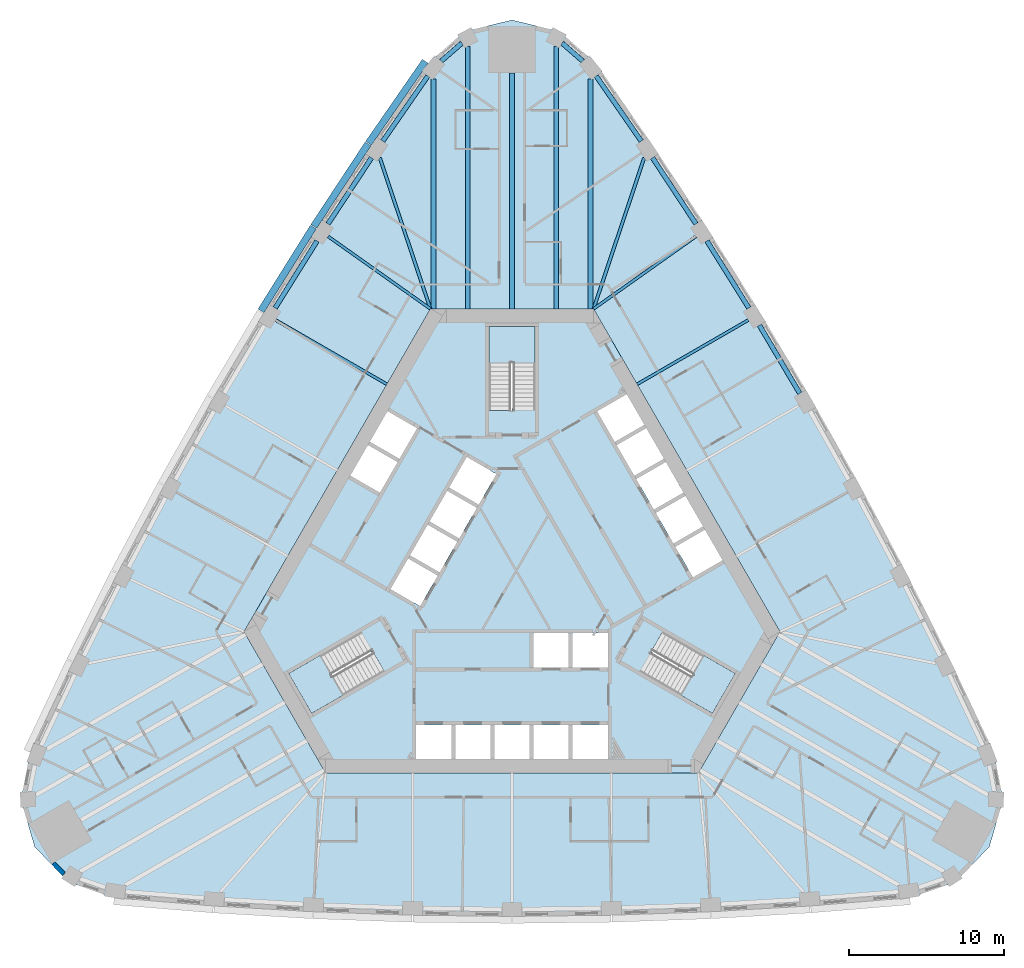
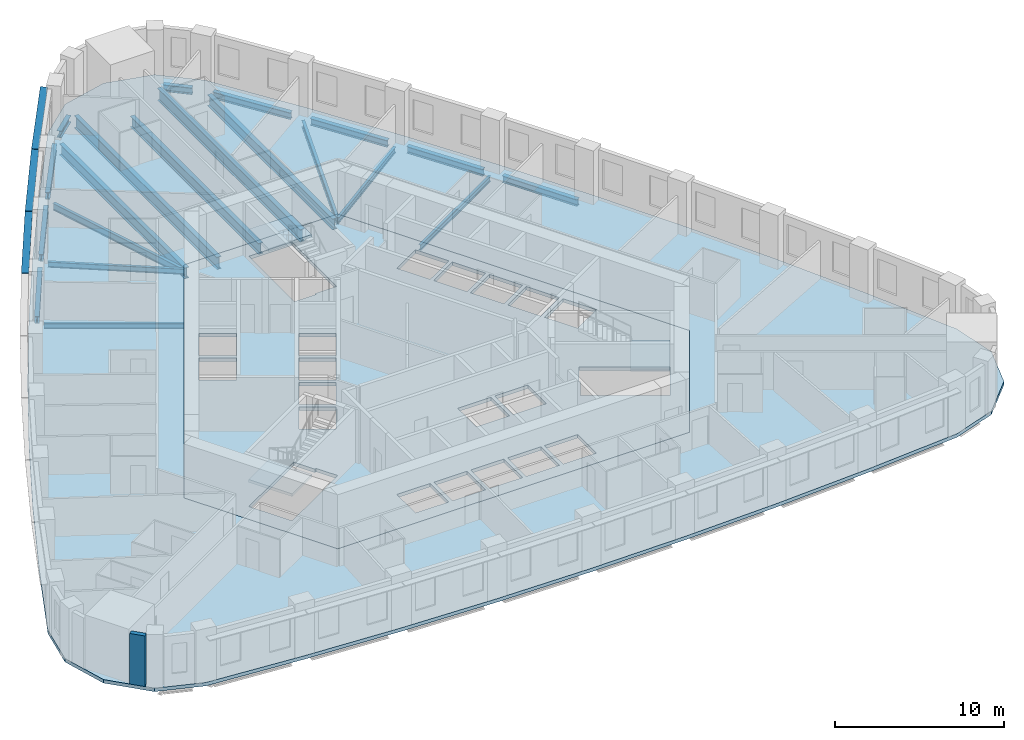
# One storey, part 2 of 12: 20 beams, 5 slabs, 3 members, 1 wall, 3 elements without a shape of their own.
"""IFC4 building model written with IfcOpenShell, lengths in metres."""

import ifcopenshell
import ifcopenshell.guid

model = None  # the IFC model being written
_history = None  # IfcOwnerHistory: only IFC2X3 demands one
_inside = {}  # id of a spatial element -> (the spatial element, [elements in it])
_under = {}  # id of a project, library or spatial element -> (it, [spatial elements below it])
_declared = {}  # id of a project -> (the project, [libraries it declares])
_typed = {}  # id of a type object -> (the type object, [elements of that type])
_made_of = {}  # id of a material, layer set ... -> (it, [elements and type objects made of it])


def new_model(schema):
    """Start an empty IFC model of exactly this schema.

    Asked for "IFC4X3", IfcOpenShell would pick the latest addendum, in which some entities
    have other attributes; the version numbers below select the first issue.
    IFC2X3 requires an IfcOwnerHistory on every rooted entity: one is made here for all.
    """
    global model, _history
    if schema == "IFC4X3":
        model = ifcopenshell.file(schema_version=(4, 3, 0, 0))
    else:
        model = ifcopenshell.file(schema=schema)
    _inside.clear()
    _under.clear()
    _declared.clear()
    _typed.clear()
    _made_of.clear()
    _history = None
    if model.schema == "IFC2X3":
        org = make("IfcOrganization", Name="unknown")
        user = make(
            "IfcPersonAndOrganization",
            ThePerson=make("IfcPerson", FamilyName="unknown"),
            TheOrganization=org,
        )
        app = make(
            "IfcApplication",
            ApplicationDeveloper=org,
            Version="unknown",
            ApplicationFullName="unknown",
            ApplicationIdentifier="unknown",
        )
        _history = make(
            "IfcOwnerHistory",
            OwningUser=user,
            OwningApplication=app,
            ChangeAction="ADDED",
            CreationDate=0,
        )
    return model


def make(cls, **values):
    """One entity of the class cls with the attributes given. An attribute that is None is left unset."""
    return model.create_entity(
        cls, **{name: value for name, value in values.items() if value is not None}
    )


def rooted(cls, **values):
    """An entity with a GlobalId (a new one), such as an element, a storey or a relation."""
    return make(cls, GlobalId=ifcopenshell.guid.new(), OwnerHistory=_history, **values)


def si_unit(unit_type, name, prefix=None):
    """IfcSIUnit, for example si_unit("LENGTHUNIT", "METRE", prefix="MILLI")."""
    return make("IfcSIUnit", UnitType=unit_type, Prefix=prefix, Name=name)


def assignment(units):
    """IfcUnitAssignment: the units of a project."""
    return None if units is None else make("IfcUnitAssignment", Units=units)


def point(xyz):
    """IfcCartesianPoint."""
    return None if xyz is None else make("IfcCartesianPoint", Coordinates=xyz)


def direction(xyz):
    """IfcDirection."""
    return None if xyz is None else make("IfcDirection", DirectionRatios=xyz)


def frame(location, z_axis=None, x_axis=None):
    """IfcAxis2Placement3D, a coordinate frame: its origin and axes. An axis left out is left unset."""
    return make(
        "IfcAxis2Placement3D",
        Location=point(location),
        Axis=direction(z_axis),
        RefDirection=direction(x_axis),
    )


def frame_2d(location, x_axis=None):
    """IfcAxis2Placement2D, a coordinate frame in the plane: its origin and x axis."""
    return make(
        "IfcAxis2Placement2D", Location=point(location), RefDirection=direction(x_axis)
    )


def origin():
    """The frame at (0, 0, 0) with its axes left unset."""
    return frame((0.0, 0.0, 0.0))


def origin_2d():
    """The frame at (0, 0) in the plane with its x axis left unset."""
    return frame_2d((0.0, 0.0))


def place(relative_to, where):
    """IfcLocalPlacement: puts the frame where relative to a parent placement (None: the world)."""
    return make(
        "IfcLocalPlacement", PlacementRelTo=relative_to, RelativePlacement=where
    )


def context(
    kind, dimensions, precision=None, world=None, true_north=None, identifier=None
):
    """IfcGeometricRepresentationContext, for example the 3D "Model" context."""
    return make(
        "IfcGeometricRepresentationContext",
        ContextIdentifier=identifier,
        ContextType=kind,
        CoordinateSpaceDimension=dimensions,
        Precision=precision,
        WorldCoordinateSystem=world,
        TrueNorth=true_north,
    )


def subcontext(parent, identifier, kind, view, scale=None):
    """IfcGeometricRepresentationSubContext, for example "Body" below "Model"."""
    return make(
        "IfcGeometricRepresentationSubContext",
        ContextIdentifier=identifier,
        ContextType=kind,
        ParentContext=parent,
        TargetScale=scale,
        TargetView=view,
    )


def project(units=None, contexts=None):
    """IfcProject with its units and contexts."""
    return rooted(
        "IfcProject",
        Name="project",
        RepresentationContexts=contexts,
        UnitsInContext=assignment(units),
    )


def spatial(cls, under=None, at=None, **own):
    """A site, building, storey or space (cls), placed at a placement, below another one or the project."""
    s = rooted(cls, ObjectPlacement=at, **own)
    if under is not None:
        _under.setdefault(under.id(), (under, []))[1].append(s)
    return s


def polyline(points):
    """IfcPolyline through the points."""
    return make("IfcPolyline", Points=[point(p) for p in points])


def profile(cls, at=None, kind="AREA", **sizes):
    """A parametric profile (cls). Its sizes go by their IFC names, for example OverallWidth=200.0."""
    return make(cls, ProfileType=kind, Position=at, **sizes)


def rectangle(**sizes):
    """IfcRectangleProfileDef."""
    return profile("IfcRectangleProfileDef", **sizes)


def i_section(**sizes):
    """IfcIShapeProfileDef."""
    return profile("IfcIShapeProfileDef", **sizes)


def outline(outer, holes=None, kind="AREA"):
    """IfcArbitraryClosedProfileDef: a profile drawn as a closed curve; with holes, ...WithVoids."""
    if holes is None:
        return make("IfcArbitraryClosedProfileDef", ProfileType=kind, OuterCurve=outer)
    return make(
        "IfcArbitraryProfileDefWithVoids",
        ProfileType=kind,
        OuterCurve=outer,
        InnerCurves=holes,
    )


def extrude(swept, where, along, depth):
    """IfcExtrudedAreaSolid: the profile swept, set in the frame where, extruded along a direction by depth."""
    return make(
        "IfcExtrudedAreaSolid",
        SweptArea=swept,
        Position=where,
        ExtrudedDirection=direction(along),
        Depth=depth,
    )


def shape(context_of_items, identifier, shape_type, items):
    """IfcShapeRepresentation: the items that make up one representation, for example the "Body"."""
    return make(
        "IfcShapeRepresentation",
        ContextOfItems=context_of_items,
        RepresentationIdentifier=identifier,
        RepresentationType=shape_type,
        Items=items,
    )


def material(Name=None, Category=None):
    """IfcMaterial."""
    return make("IfcMaterial", Name=Name, Category=Category)


def layer(
    of_material, thickness, ventilated=None, Name=None, Category=None, Priority=None
):
    """IfcMaterialLayer: one layer of a wall or slab, of a material (None: an air gap)."""
    return make(
        "IfcMaterialLayer",
        Material=of_material,
        LayerThickness=thickness,
        IsVentilated=ventilated,
        Name=Name,
        Category=Category,
        Priority=Priority,
    )


def layer_set(layers, Name=None):
    """IfcMaterialLayerSet."""
    return make("IfcMaterialLayerSet", MaterialLayers=layers, LayerSetName=Name)


def material_profile(
    of_material, cross_section, Name=None, Category=None, Priority=None
):
    """IfcMaterialProfile: a cross section and its material."""
    return make(
        "IfcMaterialProfile",
        Name=Name,
        Material=of_material,
        Profile=cross_section,
        Priority=Priority,
        Category=Category,
    )


def profile_set(profiles, Name=None, composite=None):
    """IfcMaterialProfileSet."""
    return make(
        "IfcMaterialProfileSet",
        Name=Name,
        MaterialProfiles=profiles,
        CompositeProfile=composite,
    )


def made_of(thing, what):
    """Note that an element or type object is made of a material, layer set ...; save() writes the relation."""
    if what is not None:
        _made_of.setdefault(what.id(), (what, []))[1].append(thing)
    return thing


def type_object(cls, material=None, **own):
    """A type object (cls), such as IfcWallType, which elements share."""
    return made_of(rooted(cls, **own), material)


def element(
    cls,
    number,
    at=None,
    inside=None,
    cuts=None,
    type_object=None,
    material=None,
    context=None,
    identifier="Body",
    shape_type=None,
    held_by="IfcProductDefinitionShape",
    body=None,
    shapes=None,
    **own,
):
    """One element of the class cls, such as IfcWall. Its Tag is "e" and its number.

    at: its placement. inside: the storey or other place that contains it. cuts: it is an
    opening in that element (IfcRelVoidsElement). A single representation is given by context,
    identifier, shape_type and body (its items); several are given by shapes. held_by: the class
    of the entity that holds the representations. save() writes the other relations.
    """
    e = rooted(cls, Tag="e%d" % number, ObjectPlacement=at, **own)
    if body is not None:
        shapes = [shape(context, identifier, shape_type, body)]
    if shapes is not None:
        e.Representation = make(held_by, Representations=shapes)
    if inside is not None:
        _inside.setdefault(inside.id(), (inside, []))[1].append(e)
    if cuts is not None:
        rooted(
            "IfcRelVoidsElement", RelatingBuildingElement=cuts, RelatedOpeningElement=e
        )
    if type_object is not None:
        _typed.setdefault(type_object.id(), (type_object, []))[1].append(e)
    return made_of(e, material)


def aggregate(whole, parts):
    """IfcRelAggregates: a whole, such as a stair, and the parts it consists of."""
    return rooted("IfcRelAggregates", RelatingObject=whole, RelatedObjects=parts)


def save(model, path):
    """Write the relations noted so far, then the file.

    IfcRelAggregates (storeys below a building ...), IfcRelContainedInSpatialStructure (elements
    in a storey), IfcRelDefinesByType, IfcRelAssociatesMaterial and IfcRelDeclares: one each for
    every whole, place, type object, material and project.
    """
    for whole, parts in _under.values():
        aggregate(whole, parts)
    for where, things in _inside.values():
        rooted(
            "IfcRelContainedInSpatialStructure",
            RelatedElements=things,
            RelatingStructure=where,
        )
    for kind, things in _typed.values():
        rooted("IfcRelDefinesByType", RelatedObjects=things, RelatingType=kind)
    for what, things in _made_of.values():
        rooted("IfcRelAssociatesMaterial", RelatedObjects=things, RelatingMaterial=what)
    for by, libraries in _declared.values():
        rooted("IfcRelDeclares", RelatingContext=by, RelatedDefinitions=libraries)
    model.write(path)


model = new_model("IFC4")

# Units and contexts
model_context = context("Model", 3, precision=1e-05, world=origin(), true_north=direction((0.0, 1.0)))
body_context = subcontext(model_context, "Body", "Model", "MODEL_VIEW")
ifc_project = project(units=[si_unit("LENGTHUNIT", "METRE"), si_unit("AREAUNIT", "SQUARE_METRE"), si_unit("VOLUMEUNIT", "CUBIC_METRE"), si_unit("PLANEANGLEUNIT", "RADIAN"), si_unit("MASSUNIT", "GRAM", prefix="KILO")], contexts=[model_context])

# Site, building, storey
site_placement = place(None, origin())
site = spatial("IfcSite", under=ifc_project, at=site_placement, CompositionType="ELEMENT")
building_placement = place(site_placement, origin())
building = spatial("IfcBuilding", under=site, at=building_placement, Name="Mestral Congress Tower", CompositionType="ELEMENT")
storey_placement = place(building_placement, frame((0.0, 0.0, 122.699951171875)))
storey = spatial("IfcBuildingStorey", under=building, at=storey_placement, Name="L29", CompositionType="ELEMENT", Elevation=122.699951171875)

# Members
ifc_material_1 = material(Name="Glazed ceramic", Category="masonry")
ifc_material_profile_1 = material_profile(ifc_material_1, rectangle(XDim=0.449951171875, YDim=0.06005859375, at=origin_2d()), Name="Ceramic blade 450 x 60")
ifc_profile_set_1 = profile_set([ifc_material_profile_1], Name="Glazed ceramic")
member_type = type_object("IfcMemberType", Name="Facade sunshade blade 450 x 60", PredefinedType="USERDEFINED", material=ifc_profile_set_1)
member_placement = place(storey_placement, frame((-5.590576171875, 32.8505859375, 3.280029296875), z_axis=(-0.569144736399, -0.822237355652, 0.0), x_axis=(0.822237355652, -0.569144736399, 0.0)))
element("IfcMember", 1, at=member_placement, inside=storey, type_object=member_type, Name="Sunshade F2-00", ObjectType="SUNSHADE", PredefinedType="USERDEFINED", context=body_context, shape_type="SweptSolid", body=[
    extrude(rectangle(XDim=0.449951171875, YDim=0.06005859375, at=origin_2d()), origin(), (0.0, 0.0, 1.0), 6.421630859375),
])
for number, where, z_axis, x_axis, name in (
    (2, (-9.2705078125, 27.532958984375, 3.280029296875), (-0.549764307833, -0.835319822483, 0.0), (0.835319822483, -0.549764307833, 0.0), "Sunshade F2-01"),
    (3, (-12.797119140625, 22.173583984375, 3.280029296875), (-0.530060946156, -0.847959547007, 0.0), (0.847959547007, -0.530060946156, 0.0), "Sunshade F2-02"),
):
    element("IfcMember", number, at=place(storey_placement, frame(where, z_axis=z_axis, x_axis=x_axis)), inside=storey, type_object=member_type, Name=name, ObjectType="SUNSHADE", PredefinedType="USERDEFINED", context=body_context, shape_type="SweptSolid", body=[
        extrude(rectangle(XDim=0.449951171875, YDim=0.06005859375, at=origin_2d()), origin(), (0.0, 0.0, 1.0), 6.370361328125),
    ])

# Beams
ifc_material_2 = material(Name="Steel S355", Category="steel")
ifc_material_profile_2 = material_profile(ifc_material_2, i_section(OverallWidth=0.300048828125, OverallDepth=0.800048828125, WebThickness=0.017578125, FlangeThickness=0.032958984375, FilletRadius=0.030029296875, at=origin_2d()), Name="HEB 800")
ifc_profile_set_2 = profile_set([ifc_material_profile_2], Name="Steel S355")
beam_type_1 = type_object("IfcBeamType", Name="Floor beam HEB 800 S355", PredefinedType="BEAM", material=ifc_profile_set_2)
beam_1_placement = place(storey_placement, frame((5.056396484375, 31.72412109375, -0.64990234375), z_axis=(0.0, -1.0, 0.0), x_axis=(1.0, 0.0, 0.0)))
element("IfcBeam", 4, at=beam_1_placement, inside=storey, type_object=beam_type_1, Name="BM-L29-RB2-E08", PredefinedType="BEAM", context=body_context, shape_type="SweptSolid", body=[
    extrude(i_section(OverallWidth=0.300048828125, OverallDepth=0.800048828125, WebThickness=0.017578125, FlangeThickness=0.032958984375, FilletRadius=0.030029296875, at=origin_2d()), origin(), (0.0, 0.0, 1.0), 14.82421875),
])
beam_2_placement = place(storey_placement, frame((0.0, 32.098388671875, -0.64990234375), z_axis=(0.0, -1.0, 0.0), x_axis=(1.0, 0.0, 0.0)))
element("IfcBeam", 5, at=beam_2_placement, inside=storey, type_object=beam_type_1, Name="BM-L29-RB2-N", PredefinedType="BEAM", context=body_context, shape_type="SweptSolid", body=[
    extrude(i_section(OverallWidth=0.300048828125, OverallDepth=0.800048828125, WebThickness=0.017578125, FlangeThickness=0.032958984375, FilletRadius=0.030029296875, at=origin_2d()), origin(), (0.0, 0.0, 1.0), 15.198486328125),
])
beam_3_placement = place(storey_placement, frame((-5.056396484375, 31.72412109375, -0.64990234375), z_axis=(0.0, -1.0, 0.0), x_axis=(1.0, 0.0, 0.0)))
element("IfcBeam", 6, at=beam_3_placement, inside=storey, type_object=beam_type_1, Name="BM-L29-RB2-W00", PredefinedType="BEAM", context=body_context, shape_type="SweptSolid", body=[
    extrude(i_section(OverallWidth=0.300048828125, OverallDepth=0.800048828125, WebThickness=0.017578125, FlangeThickness=0.032958984375, FilletRadius=0.030029296875, at=origin_2d()), origin(), (0.0, 0.0, 1.0), 14.82421875),
])
ifc_material_profile_3 = material_profile(ifc_material_2, i_section(OverallWidth=0.300048828125, OverallDepth=0.89990234375, WebThickness=0.0185546875, FlangeThickness=0.034912109375, FilletRadius=0.030029296875, at=origin_2d()), Name="HEB 900")
ifc_profile_set_3 = profile_set([ifc_material_profile_3], Name="Steel S355")
beam_type_2 = type_object("IfcBeamType", Name="Floor beam HEB 900 S355", PredefinedType="BEAM", material=ifc_profile_set_3)
for number, where, z_axis, x_axis, name in (
    (7, (2.845703125, 33.794189453125, -0.699951171875), (0.0, -1.0, 0.0), (1.0, 0.0, 0.0), "BM-L29-RB2-N1"),
    (8, (-2.845703125, 33.794189453125, -0.699951171875), (0.0, -1.0, 0.0), (1.0, 0.0, 0.0), "BM-L29-RB2-N3"),
):
    element("IfcBeam", number, at=place(storey_placement, frame(where, z_axis=z_axis, x_axis=x_axis)), inside=storey, type_object=beam_type_2, Name=name, PredefinedType="BEAM", context=body_context, shape_type="SweptSolid", body=[
        extrude(i_section(OverallWidth=0.300048828125, OverallDepth=0.89990234375, WebThickness=0.0185546875, FlangeThickness=0.034912109375, FilletRadius=0.030029296875, at=origin_2d()), origin(), (0.0, 0.0, 1.0), 16.894287109375),
    ])
ifc_material_profile_4 = material_profile(ifc_material_2, i_section(OverallWidth=0.179931640625, OverallDepth=0.39990234375, WebThickness=0.008544921875, FlangeThickness=0.013427734375, FilletRadius=0.02099609375, at=origin_2d()), Name="IPE 400")
ifc_profile_set_4 = profile_set([ifc_material_profile_4], Name="Steel S355")
beam_type_3 = type_object("IfcBeamType", Name="Floor beam IPE 400 S355", PredefinedType="BEAM", material=ifc_profile_set_4)
beam_4_placement = place(storey_placement, frame((15.219482421875, 16.176513671875, -0.449951171875), z_axis=(-0.866015952286, -0.500016370119, 0.0), x_axis=(0.500016370119, -0.866015952286, 0.0)))
element("IfcBeam", 9, at=beam_4_placement, inside=storey, type_object=beam_type_3, Name="BM-L29-RB2-E05", PredefinedType="BEAM", context=body_context, shape_type="SweptSolid", body=[
    extrude(i_section(OverallWidth=0.179931640625, OverallDepth=0.39990234375, WebThickness=0.008544921875, FlangeThickness=0.013427734375, FilletRadius=0.02099609375, at=origin_2d()), origin(), (0.0, 0.0, 1.0), 8.268798828125),
])
for number, where, z_axis, x_axis, name in (
    (10, (11.849365234375, 21.568115234375, -0.449951171875), (-0.816232852676, -0.577723056673, 0.0), (0.577723056673, -0.816232852676, 0.0), "BM-L29-RB2-E06"),
    (11, (-11.849365234375, 21.568115234375, -0.449951171875), (0.816232852676, -0.577723056673, 0.0), (0.577723056673, 0.816232852676, 0.0), "BM-L29-RB2-W02"),
):
    element("IfcBeam", number, at=place(storey_placement, frame(where, z_axis=z_axis, x_axis=x_axis)), inside=storey, type_object=beam_type_3, Name=name, PredefinedType="BEAM", context=body_context, shape_type="SweptSolid", body=[
        extrude(i_section(OverallWidth=0.179931640625, OverallDepth=0.39990234375, WebThickness=0.008544921875, FlangeThickness=0.013427734375, FilletRadius=0.02099609375, at=origin_2d()), origin(), (0.0, 0.0, 1.0), 8.080322265625),
    ])
beam_5_placement = place(storey_placement, frame((-15.219482421875, 16.176513671875, -0.449951171875), z_axis=(0.866015952286, -0.500016370119, 0.0), x_axis=(0.500016370119, 0.866015952286, 0.0)))
element("IfcBeam", 12, at=beam_5_placement, inside=storey, type_object=beam_type_3, Name="BM-L29-RB2-W03", PredefinedType="BEAM", context=body_context, shape_type="SweptSolid", body=[
    extrude(i_section(OverallWidth=0.179931640625, OverallDepth=0.39990234375, WebThickness=0.008544921875, FlangeThickness=0.013427734375, FilletRadius=0.02099609375, at=origin_2d()), origin(), (0.0, 0.0, 1.0), 8.268798828125),
])
ifc_material_profile_5 = material_profile(ifc_material_2, i_section(OverallWidth=0.199951171875, OverallDepth=0.5, WebThickness=0.01025390625, FlangeThickness=0.01611328125, FilletRadius=0.02099609375, at=origin_2d()), Name="IPE 500")
ifc_profile_set_5 = profile_set([ifc_material_profile_5], Name="Steel S355")
beam_type_4 = type_object("IfcBeamType", Name="Floor beam IPE 500 S355", PredefinedType="BEAM", material=ifc_profile_set_5)
for number, where, z_axis, x_axis, name in (
    (13, (8.5185546875, 26.636962890625, -0.5), (-0.317888994992, -0.948127938025, 0.0), (0.948127938025, -0.317888994992, 0.0), "BM-L29-RB2-E07"),
    (14, (-8.5185546875, 26.636962890625, -0.5), (0.317888994992, -0.948127938025, 0.0), (0.948127938025, 0.317888994992, 0.0), "BM-L29-RB2-W01"),
):
    element("IfcBeam", number, at=place(storey_placement, frame(where, z_axis=z_axis, x_axis=x_axis)), inside=storey, type_object=beam_type_4, Name=name, PredefinedType="BEAM", context=body_context, shape_type="SweptSolid", body=[
        extrude(i_section(OverallWidth=0.199951171875, OverallDepth=0.5, WebThickness=0.01025390625, FlangeThickness=0.01611328125, FilletRadius=0.02099609375, at=origin_2d()), origin(), (0.0, 0.0, 1.0), 10.269775390625),
    ])
ifc_material_profile_6 = material_profile(ifc_material_2, i_section(OverallWidth=0.300048828125, OverallDepth=0.489990234375, WebThickness=0.011962890625, FlangeThickness=0.02294921875, FilletRadius=0.027099609375, at=origin_2d()), Name="HEA 500")
ifc_profile_set_6 = profile_set([ifc_material_profile_6], Name="Steel S355")
beam_type_5 = type_object("IfcBeamType", Name="Spandrel beam HEA 500 S355", PredefinedType="BEAM", material=ifc_profile_set_6)
for number, where, z_axis, x_axis, name in (
    (15, (18.542236328125, 11.455810546875, -0.494873046875), (-0.510081870963, 0.860125854114, 0.0), (-0.860125854114, -0.510081870963, 0.0), "SP-L29-SB2-E04"),
    (16, (15.2646484375, 16.95263671875, -0.494873046875), (-0.530046273959, 0.847968718446, 0.0), (-0.847968718446, -0.530046273959, 0.0), "SP-L29-SB2-E05"),
):
    element("IfcBeam", number, at=place(storey_placement, frame(where, z_axis=z_axis, x_axis=x_axis)), inside=storey, type_object=beam_type_5, Name=name, PredefinedType="BEAM", context=body_context, shape_type="SweptSolid", body=[
        extrude(i_section(OverallWidth=0.300048828125, OverallDepth=0.489990234375, WebThickness=0.011962890625, FlangeThickness=0.02294921875, FilletRadius=0.027099609375, at=origin_2d()), origin(), (0.0, 0.0, 1.0), 5.099853515625),
    ])
beam_6_placement = place(storey_placement, frame((11.859619140625, 22.371337890625, -0.494873046875), z_axis=(-0.549729920898, 0.835342453171, 0.0), x_axis=(-0.835342453171, -0.549729920898, 0.0)))
element("IfcBeam", 17, at=beam_6_placement, inside=storey, type_object=beam_type_5, Name="SP-L29-SB2-E06", PredefinedType="BEAM", context=body_context, shape_type="SweptSolid", body=[
    extrude(i_section(OverallWidth=0.300048828125, OverallDepth=0.489990234375, WebThickness=0.011962890625, FlangeThickness=0.02294921875, FilletRadius=0.027099609375, at=origin_2d()), origin(), (0.0, 0.0, 1.0), 5.099609375),
])
beam_7_placement = place(storey_placement, frame((8.32861328125, 27.708740234375, -0.494873046875), z_axis=(-0.569105377225, 0.822264598298, 0.0), x_axis=(-0.822264598298, -0.569105377225, 0.0)))
element("IfcBeam", 18, at=beam_7_placement, inside=storey, type_object=beam_type_5, Name="SP-L29-SB2-E07", PredefinedType="BEAM", context=body_context, shape_type="SweptSolid", body=[
    extrude(i_section(OverallWidth=0.300048828125, OverallDepth=0.489990234375, WebThickness=0.011962890625, FlangeThickness=0.02294921875, FilletRadius=0.027099609375, at=origin_2d()), origin(), (0.0, 0.0, 1.0), 5.09765625),
])
for number, where, z_axis, x_axis, name in (
    (19, (4.558349609375, 32.869140625, -0.494873046875), (-0.754917058401, 0.655820276398, 0.0), (-0.655820276398, -0.754917058401, 0.0), "SP-L29-SB2-E08"),
    (20, (-3.234130859375, 34.01953125, -0.494873046875), (-0.754917058401, -0.655820276398, 0.0), (0.655820276398, -0.754917058401, 0.0), "SP-L29-SB2-N3"),
):
    element("IfcBeam", number, at=place(storey_placement, frame(where, z_axis=z_axis, x_axis=x_axis)), inside=storey, type_object=beam_type_5, Name=name, PredefinedType="BEAM", context=body_context, shape_type="SweptSolid", body=[
        extrude(i_section(OverallWidth=0.300048828125, OverallDepth=0.489990234375, WebThickness=0.011962890625, FlangeThickness=0.02294921875, FilletRadius=0.027099609375, at=origin_2d()), origin(), (0.0, 0.0, 1.0), 1.754150390625),
    ])
beam_8_placement = place(storey_placement, frame((-5.427490234375, 31.900390625, -0.494873046875), z_axis=(-0.569105377225, -0.822264598298, 0.0), x_axis=(0.822264598298, -0.569105377225, 0.0)))
element("IfcBeam", 21, at=beam_8_placement, inside=storey, type_object=beam_type_5, Name="SP-L29-SB2-W00", PredefinedType="BEAM", context=body_context, shape_type="SweptSolid", body=[
    extrude(i_section(OverallWidth=0.300048828125, OverallDepth=0.489990234375, WebThickness=0.011962890625, FlangeThickness=0.02294921875, FilletRadius=0.027099609375, at=origin_2d()), origin(), (0.0, 0.0, 1.0), 5.09765625),
])
beam_9_placement = place(storey_placement, frame((-9.05615234375, 26.63134765625, -0.494873046875), z_axis=(-0.549729920898, -0.835342453171, 0.0), x_axis=(0.835342453171, -0.549729920898, 0.0)))
element("IfcBeam", 22, at=beam_9_placement, inside=storey, type_object=beam_type_5, Name="SP-L29-SB2-W01", PredefinedType="BEAM", context=body_context, shape_type="SweptSolid", body=[
    extrude(i_section(OverallWidth=0.300048828125, OverallDepth=0.489990234375, WebThickness=0.011962890625, FlangeThickness=0.02294921875, FilletRadius=0.027099609375, at=origin_2d()), origin(), (0.0, 0.0, 1.0), 5.099609375),
])
beam_10_placement = place(storey_placement, frame((-12.5615234375, 21.277099609375, -0.494873046875), z_axis=(-0.530046273959, -0.847968718446, 0.0), x_axis=(0.847968718446, -0.530046273959, 0.0)))
element("IfcBeam", 23, at=beam_10_placement, inside=storey, type_object=beam_type_5, Name="SP-L29-SB2-W02", PredefinedType="BEAM", context=body_context, shape_type="SweptSolid", body=[
    extrude(i_section(OverallWidth=0.300048828125, OverallDepth=0.489990234375, WebThickness=0.011962890625, FlangeThickness=0.02294921875, FilletRadius=0.027099609375, at=origin_2d()), origin(), (0.0, 0.0, 1.0), 5.099853515625),
])

# Slabs
ifc_material_3 = material(Name="Concrete C35/45", Category="concrete")
ifc_layer_1 = layer(ifc_material_3, 0.25)
ifc_layer_set_1 = layer_set([ifc_layer_1], Name="Concrete C35/45")
slab_type_1 = type_object("IfcSlabType", Name="Composite floor slab 250", PredefinedType="FLOOR", material=ifc_layer_set_1)
placement_1 = place(storey_placement, frame((0.0, 0.0, -0.25)))
element("IfcSlab", 24, at=placement_1, inside=storey, type_object=slab_type_1, Name="SL-L29", PredefinedType="FLOOR", context=body_context, shape_type="SweptSolid", body=[
    extrude(outline(polyline([(-25.656005859375, -21.041015625), (-28.581298828125, -20.03271484375), (-30.75390625, -17.755859375), (-31.639404296875, -14.73583984375), (-31.050048828125, -11.697998046875), (-28.28759765625, -5.856689453125), (-25.412109375, -0.12744140625), (-22.403564453125, 5.533203125), (-19.263671875, 11.121826171875), (-15.99365234375, 16.635498046875), (-12.595703125, 22.0712890625), (-9.07177734375, 27.426025390625), (-5.39404296875, 32.739013671875), (-3.05810546875, 34.768310546875), (0.0, 35.51171875), (3.05810546875, 34.768310546875), (5.39404296875, 32.739013671875), (9.07177734375, 27.426025390625), (12.595703125, 22.0712890625), (15.99365234375, 16.635498046875), (19.263671875, 11.121826171875), (22.403564453125, 5.533203125), (25.412109375, -0.12744140625), (28.28759765625, -5.856689453125), (31.050048828125, -11.697998046875), (31.639404296875, -14.73583984375), (30.75390625, -17.755859375), (28.581298828125, -20.03271484375), (25.656005859375, -21.041015625), (19.2158203125, -21.5693359375), (12.81640625, -21.94384765625), (6.409912109375, -22.168701171875), (0.0, -22.24365234375), (-6.409912109375, -22.168701171875), (-12.81640625, -21.94384765625), (-19.2158203125, -21.5693359375), (-25.656005859375, -21.041015625)]), holes=[polyline([(-5.25390625, 16.89990234375), (-17.2626953125, -3.89990234375), (-12.0087890625, -13.0), (12.0087890625, -13.0), (17.2626953125, -3.89990234375), (5.25390625, 16.89990234375), (-5.25390625, 16.89990234375)])]), origin(), (0.0, 0.0, 1.0), 0.25),
])
ifc_material_4 = material(Name="Concrete C60/75", Category="concrete")
ifc_layer_2 = layer(ifc_material_4, 0.25)
ifc_layer_set_2 = layer_set([ifc_layer_2], Name="Concrete C60/75")
slab_type_2 = type_object("IfcSlabType", Name="Core floor slab RC 250", PredefinedType="FLOOR", material=ifc_layer_set_2)
element("IfcSlab", 25, at=placement_1, inside=storey, type_object=slab_type_2, Name="L29 core floor", PredefinedType="FLOOR", context=body_context, shape_type="SweptSolid", body=[
    extrude(outline(polyline([(12.0087890625, -13.0), (-12.0087890625, -13.0), (-17.2626953125, -3.89990234375), (-5.25390625, 16.89990234375), (5.25390625, 16.89990234375), (17.2626953125, -3.89990234375), (12.0087890625, -13.0)]), holes=[polyline([(-3.905029296875, -9.89990234375), (-6.175048828125, -9.89990234375), (-6.175048828125, -12.10009765625), (-3.905029296875, -12.10009765625), (-3.905029296875, -9.89990234375)]), polyline([(-1.385009765625, -9.89990234375), (-3.655029296875, -9.89990234375), (-3.655029296875, -12.10009765625), (-1.385009765625, -12.10009765625), (-1.385009765625, -9.89990234375)]), polyline([(1.135009765625, -9.89990234375), (-1.135009765625, -9.89990234375), (-1.135009765625, -12.10009765625), (1.135009765625, -12.10009765625), (1.135009765625, -9.89990234375)]), polyline([(-9.0673828125, -5.235107421875), (-9.8046875, -3.95751953125), (-14.37744140625, -6.59765625), (-12.90234375, -9.15234375), (-8.234619140625, -6.45751953125), (-8.971923828125, -5.179931640625), (-9.0673828125, -5.235107421875)]), polyline([(-7.826904296875, -1.156494140625), (-5.921630859375, -2.256591796875), (-4.78662109375, -0.29052734375), (-6.69189453125, 0.809326171875), (-7.826904296875, -1.156494140625)]), polyline([(-4.66162109375, -0.07421875), (-3.526611328125, 1.8916015625), (-5.431884765625, 2.99169921875), (-6.56689453125, 1.02587890625), (-4.66162109375, -0.07421875)]), polyline([(-3.401611328125, 2.1083984375), (-2.2666015625, 4.07421875), (-4.171875, 5.174072265625), (-5.306884765625, 3.208251953125), (-3.401611328125, 2.1083984375)]), polyline([(-2.1416015625, 4.29052734375), (-1.006591796875, 6.256591796875), (-2.911865234375, 7.3564453125), (-4.046875, 5.390625), (-2.1416015625, 4.29052734375)]), polyline([(-10.41650390625, 6.158203125), (-8.51123046875, 5.058349609375), (-7.376220703125, 7.024169921875), (-9.281494140625, 8.1240234375), (-10.41650390625, 6.158203125)]), polyline([(-9.156494140625, 8.340576171875), (-7.251220703125, 7.240478515625), (-6.1162109375, 9.20654296875), (-8.021484375, 10.306396484375), (-9.156494140625, 8.340576171875)]), polyline([(1.47509765625, 10.469970703125), (1.47509765625, 15.75), (-1.47509765625, 15.75), (-1.47509765625, 10.360107421875), (0.0, 10.360107421875), (0.0, 10.469970703125), (1.47509765625, 10.469970703125)]), polyline([(3.655029296875, -9.89990234375), (1.385009765625, -9.89990234375), (1.385009765625, -12.10009765625), (3.655029296875, -12.10009765625), (3.655029296875, -9.89990234375)]), polyline([(6.175048828125, -9.89990234375), (3.905029296875, -9.89990234375), (3.905029296875, -12.10009765625), (6.175048828125, -12.10009765625), (6.175048828125, -9.89990234375)]), polyline([(9.0673828125, -5.235107421875), (8.329833984375, -6.512451171875), (12.90234375, -9.15234375), (14.37744140625, -6.59765625), (9.70947265625, -3.902587890625), (8.971923828125, -5.179931640625), (9.0673828125, -5.235107421875)]), polyline([(3.655029296875, -6.199951171875), (3.655029296875, -4.0), (1.385009765625, -4.0), (1.385009765625, -6.199951171875), (3.655029296875, -6.199951171875)]), polyline([(6.175048828125, -4.0), (3.905029296875, -4.0), (3.905029296875, -6.199951171875), (6.175048828125, -6.199951171875), (6.175048828125, -4.0)]), polyline([(12.431396484375, 2.668212890625), (10.526123046875, 1.568115234375), (11.6611328125, -0.397705078125), (13.56640625, 0.702392578125), (12.431396484375, 2.668212890625)]), polyline([(11.17138671875, 4.8505859375), (9.26611328125, 3.75048828125), (10.401123046875, 1.78466796875), (12.306396484375, 2.884765625), (11.17138671875, 4.8505859375)]), polyline([(8.006103515625, 5.932861328125), (9.14111328125, 3.967041015625), (11.04638671875, 5.067138671875), (9.911376953125, 7.032958984375), (8.006103515625, 5.932861328125)]), polyline([(8.6513671875, 9.21533203125), (6.74609375, 8.115234375), (7.881103515625, 6.1494140625), (9.786376953125, 7.24951171875), (8.6513671875, 9.21533203125)]), polyline([(7.391357421875, 11.397705078125), (5.486083984375, 10.297607421875), (6.62109375, 8.331787109375), (8.5263671875, 9.431884765625), (7.391357421875, 11.397705078125)])]), origin(), (0.0, 0.0, 1.0), 0.25),
])

# Stair, slab
stair_type = type_object("IfcStairType", Name="Exit stair 1400", PredefinedType="HALF_TURN_STAIR", material=ifc_material_4)
placement_2 = place(storey_placement, origin())
stair_1 = element("IfcStair", 26, at=placement_2, inside=storey, type_object=stair_type, Name="L29 ST1", PredefinedType="HALF_TURN_STAIR")
ifc_layer_3 = layer(ifc_material_4, 0.199951171875)
ifc_layer_set_3 = layer_set([ifc_layer_3], Name="Concrete C60/75")
slab_type_3 = type_object("IfcSlabType", Name="Exit stair landing 200", PredefinedType="LANDING", material=ifc_layer_set_3)
placement_3 = place(storey_placement, frame((0.0, 0.0, 1.75)))
slab_3 = element("IfcSlab", 27, at=placement_3, type_object=slab_type_3, Name="ST1 landing 1", PredefinedType="LANDING", context=body_context, shape_type="SweptSolid", body=[
    extrude(outline(polyline([(10.879638671875, -7.99609375), (12.364501953125, -5.424072265625), (14.39111328125, -6.593994140625), (12.906005859375, -9.166015625), (10.879638671875, -7.99609375)])), origin(), (0.0, 0.0, 1.0), 0.199951171875),
])
aggregate(stair_1, [slab_3])

stair_2 = element("IfcStair", 28, at=placement_2, inside=storey, type_object=stair_type, Name="L29 ST2", PredefinedType="HALF_TURN_STAIR")
slab_4 = element("IfcSlab", 29, at=placement_3, type_object=slab_type_3, Name="ST2 landing 1", PredefinedType="LANDING", context=body_context, shape_type="SweptSolid", body=[
    extrude(outline(polyline([(1.485107421875, 13.419921875), (-1.485107421875, 13.419921875), (-1.485107421875, 15.760009765625), (1.485107421875, 15.760009765625), (1.485107421875, 13.419921875)])), origin(), (0.0, 0.0, 1.0), 0.199951171875),
])
aggregate(stair_2, [slab_4])

stair_3 = element("IfcStair", 30, at=placement_2, inside=storey, type_object=stair_type, Name="L29 ST3", PredefinedType="HALF_TURN_STAIR")
slab_5 = element("IfcSlab", 31, at=placement_3, type_object=slab_type_3, Name="ST3 landing 1", PredefinedType="LANDING", context=body_context, shape_type="SweptSolid", body=[
    extrude(outline(polyline([(-12.364501953125, -5.424072265625), (-10.879638671875, -7.99609375), (-12.906005859375, -9.166015625), (-14.39111328125, -6.593994140625), (-12.364501953125, -5.424072265625)])), origin(), (0.0, 0.0, 1.0), 0.199951171875),
])
aggregate(stair_3, [slab_5])

# Wall
ifc_material_5 = material(Name="Precast concrete C40/50 with limestone facing", Category="masonry")
ifc_layer_4 = layer(ifc_material_5, 0.2900390625)
ifc_layer_set_4 = layer_set([ifc_layer_4], Name="Precast concrete C40/50 with limestone facing")
wall_type = type_object("IfcWallType", Name="Facade stone wall 290", PredefinedType="SOLIDWALL", material=ifc_layer_set_4)
wall_placement = place(storey_placement, frame((-29.5341796875, -18.82421875, 0.0), z_axis=(0.0, 0.0, 1.0), x_axis=(0.690414427296, -0.723414071319, 0.0)))
element("IfcWall", 32, at=wall_placement, inside=storey, type_object=wall_type, Name="Facade wall K2-2", PredefinedType="SOLIDWALL", context=body_context, shape_type="SweptSolid", body=[
    extrude(rectangle(XDim=0.947021484375, YDim=0.2900390625, at=frame_2d((0.4736328125, 0.0))), origin(), (0.0, 0.0, 1.0), 3.650146484375),
])

save(model, "model.ifc")
